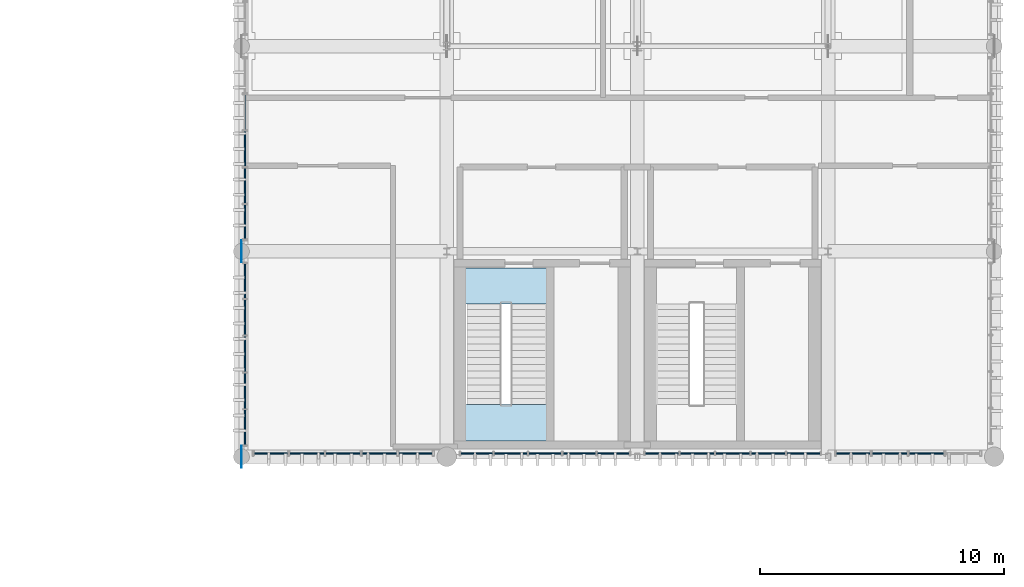
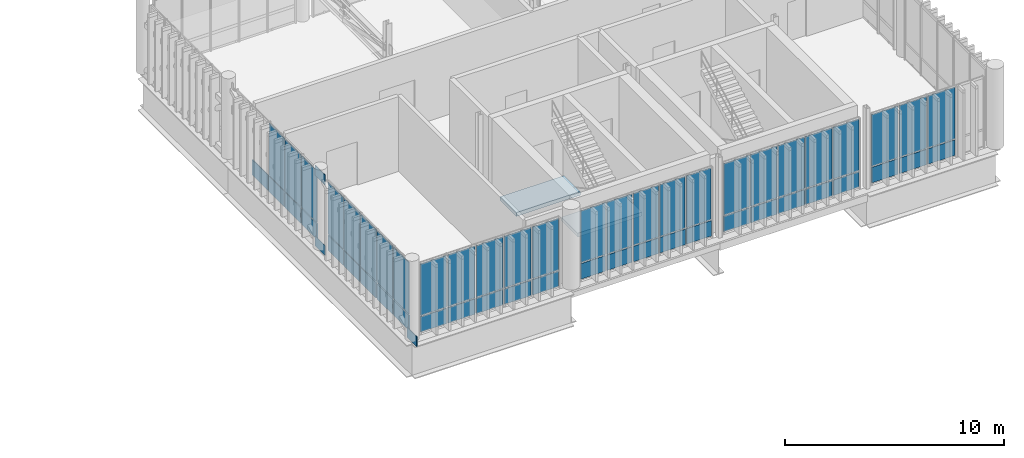
# One storey, part 43 of 53: 56 plates, 2 slabs, 7 elements without a shape of their own.
"""IFC4 building model written with IfcOpenShell, lengths in metres."""

from ifc_helpers import new_model, si_unit, direction, frame, frame_2d, origin_with_axes, origin_2d_with_axis, place, context, subcontext, project, spatial, polyline, rectangle, outline, extrude, material, layer, layer_set, type_object, element, aggregate, save


model = new_model("IFC4")

# Units and contexts
model_context = context("Model", 3, precision=1e-05, world=origin_with_axes(), true_north=direction((0.0, 1.0)))
body_context = subcontext(model_context, "Body", "Model", "MODEL_VIEW")
ifc_project = project(units=[si_unit("LENGTHUNIT", "METRE"), si_unit("AREAUNIT", "SQUARE_METRE"), si_unit("VOLUMEUNIT", "CUBIC_METRE"), si_unit("PLANEANGLEUNIT", "RADIAN"), si_unit("MASSUNIT", "GRAM", prefix="KILO"), si_unit("THERMODYNAMICTEMPERATUREUNIT", "KELVIN")], contexts=[model_context])

# Site, building, storey
site_placement = place(None, origin_with_axes())
site = spatial("IfcSite", under=ifc_project, at=site_placement, CompositionType="ELEMENT")
building_placement = place(site_placement, origin_with_axes())
building = spatial("IfcBuilding", under=site, at=building_placement, Name="Montbau Bow Law Courts", CompositionType="ELEMENT")
storey_placement = place(building_placement, frame((0.0, 0.0, 39.0), z_axis=(0.0, 0.0, 1.0), x_axis=(1.0, 0.0, 0.0)))
storey = spatial("IfcBuildingStorey", under=building, at=storey_placement, Name="L08", CompositionType="ELEMENT", Elevation=39.0)

# Curtain wall, plates
ifc_material_1 = material(Name="Thermally Broken Extruded Aluminium AA 6063-T6", Category="aluminium")
curtain_wall_type = type_object("IfcCurtainWallType", Name="CW-CRM-03", PredefinedType="NOTDEFINED", material=ifc_material_1)
curtain_wall_1_placement = place(None, frame((139.04, 86.54, 39.0), z_axis=(0.0, 0.0, 1.0), x_axis=(1.0, 0.0, 0.0)))
curtain_wall_1 = element("IfcCurtainWall", 1, at=curtain_wall_1_placement, inside=storey, type_object=curtain_wall_type, Name="CW-L08-372:cw_0372", PredefinedType="NOTDEFINED")
ifc_material_2 = material(Name="Triple-Glazed Low-E Argon Insulating Glass Unit", Category="glass")
ifc_layer_1 = layer(ifc_material_2, 0.044, Name="Curtain Panel", Category="glass")
ifc_layer_set_1 = layer_set([ifc_layer_1], Name="Triple-Glazed Low-E Argon Insulating Glass Unit")
plate_type_1 = type_object("IfcPlateType", Name="PL-CWP-01", PredefinedType="CURTAIN_PANEL", material=ifc_layer_set_1)
plate_1_placement = place(None, frame((139.116, 86.54, 39.982), z_axis=(0.0, -1.0, 0.0), x_axis=(1.0, 0.0, 0.0)))
plate_1 = element("IfcPlate", 2, at=plate_1_placement, type_object=plate_type_1, Name="CW-L08-372-P01-2:cw_0372_P01_2", PredefinedType="CURTAIN_PANEL", context=body_context, shape_type="SweptSolid", body=[
    extrude(rectangle(XDim=1.374, YDim=2.876, at=frame_2d((0.687, 1.438), x_axis=(1.0, 0.0))), frame((0.0, 0.0, -0.022), z_axis=(0.0, 0.0, 1.0), x_axis=(1.0, 0.0, 0.0)), (0.0, 0.0, 1.0), 0.044),
])
plate_2_placement = place(None, frame((140.569, 86.54, 39.982), z_axis=(0.0, -1.0, 0.0), x_axis=(1.0, 0.0, 0.0)))
plate_2 = element("IfcPlate", 3, at=plate_2_placement, type_object=plate_type_1, Name="CW-L08-372-P02-2:cw_0372_P02_2", PredefinedType="CURTAIN_PANEL", context=body_context, shape_type="SweptSolid", body=[
    extrude(rectangle(XDim=1.41, YDim=2.876, at=frame_2d((0.705, 1.438), x_axis=(1.0, 0.0))), frame((0.0, 0.0, -0.022), z_axis=(0.0, 0.0, 1.0), x_axis=(1.0, 0.0, 0.0)), (0.0, 0.0, 1.0), 0.044),
])
plate_3_placement = place(None, frame((142.058, 86.54, 39.982), z_axis=(0.0, -1.0, 0.0), x_axis=(1.0, 0.0, 0.0)))
plate_3 = element("IfcPlate", 4, at=plate_3_placement, type_object=plate_type_1, Name="CW-L08-372-P03-2:cw_0372_P03_2", PredefinedType="CURTAIN_PANEL", context=body_context, shape_type="SweptSolid", body=[
    extrude(rectangle(XDim=1.41, YDim=2.876, at=frame_2d((0.705, 1.438), x_axis=(1.0, 0.0))), frame((0.0, 0.0, -0.022), z_axis=(0.0, 0.0, 1.0), x_axis=(1.0, 0.0, 0.0)), (0.0, 0.0, 1.0), 0.044),
])
plate_4_placement = place(None, frame((143.546, 86.54, 39.982), z_axis=(0.0, -1.0, 0.0), x_axis=(1.0, 0.0, 0.0)))
plate_4 = element("IfcPlate", 5, at=plate_4_placement, type_object=plate_type_1, Name="CW-L08-372-P04-2:cw_0372_P04_2", PredefinedType="CURTAIN_PANEL", context=body_context, shape_type="SweptSolid", body=[
    extrude(rectangle(XDim=1.411, YDim=2.876, at=frame_2d((0.7055, 1.438), x_axis=(1.0, 0.0))), frame((0.0, 0.0, -0.022), z_axis=(0.0, 0.0, 1.0), x_axis=(1.0, 0.0, 0.0)), (0.0, 0.0, 1.0), 0.044),
])
plate_5_placement = place(None, frame((145.035, 86.54, 39.982), z_axis=(0.0, -1.0, 0.0), x_axis=(1.0, 0.0, 0.0)))
plate_5 = element("IfcPlate", 6, at=plate_5_placement, type_object=plate_type_1, Name="CW-L08-372-P05-2:cw_0372_P05_2", PredefinedType="CURTAIN_PANEL", context=body_context, shape_type="SweptSolid", body=[
    extrude(rectangle(XDim=1.374, YDim=2.876, at=frame_2d((0.687, 1.438), x_axis=(1.0, 0.0))), frame((0.0, 0.0, -0.022), z_axis=(0.0, 0.0, 1.0), x_axis=(1.0, 0.0, 0.0)), (0.0, 0.0, 1.0), 0.044),
])

curtain_wall_2_placement = place(None, frame((147.515, 86.54, 39.0), z_axis=(0.0, 0.0, 1.0), x_axis=(1.0, 0.0, 0.0)))
curtain_wall_2 = element("IfcCurtainWall", 7, at=curtain_wall_2_placement, inside=storey, type_object=curtain_wall_type, Name="CW-L08-373:cw_0373", PredefinedType="NOTDEFINED")
plate_6_placement = place(None, frame((147.583, 86.54, 39.98), z_axis=(0.0, -1.0, 0.0), x_axis=(1.0, 0.0, 0.0)))
plate_6 = element("IfcPlate", 8, at=plate_6_placement, type_object=plate_type_1, Name="CW-L08-373-P01-2:cw_0373_P01_2", PredefinedType="CURTAIN_PANEL", context=body_context, shape_type="SweptSolid", body=[
    extrude(rectangle(XDim=1.301, YDim=2.882, at=frame_2d((0.6505, 1.441), x_axis=(1.0, 0.0))), frame((0.0, 0.0, -0.022), z_axis=(0.0, 0.0, 1.0), x_axis=(1.0, 0.0, 0.0)), (0.0, 0.0, 1.0), 0.044),
])
plate_7_placement = place(None, frame((148.953, 86.54, 39.98), z_axis=(0.0, -1.0, 0.0), x_axis=(1.0, 0.0, 0.0)))
plate_7 = element("IfcPlate", 9, at=plate_7_placement, type_object=plate_type_1, Name="CW-L08-373-P02-2:cw_0373_P02_2", PredefinedType="CURTAIN_PANEL", context=body_context, shape_type="SweptSolid", body=[
    extrude(rectangle(XDim=1.334, YDim=2.882, at=frame_2d((0.667, 1.441), x_axis=(1.0, 0.0))), frame((0.0, 0.0, -0.022), z_axis=(0.0, 0.0, 1.0), x_axis=(1.0, 0.0, 0.0)), (0.0, 0.0, 1.0), 0.044),
])
plate_8_placement = place(None, frame((150.356, 86.54, 39.98), z_axis=(0.0, -1.0, 0.0), x_axis=(1.0, 0.0, 0.0)))
plate_8 = element("IfcPlate", 10, at=plate_8_placement, type_object=plate_type_1, Name="CW-L08-373-P03-2:cw_0373_P03_2", PredefinedType="CURTAIN_PANEL", context=body_context, shape_type="SweptSolid", body=[
    extrude(rectangle(XDim=1.335, YDim=2.882, at=frame_2d((0.6675, 1.441), x_axis=(1.0, 0.0))), frame((0.0, 0.0, -0.022), z_axis=(0.0, 0.0, 1.0), x_axis=(1.0, 0.0, 0.0)), (0.0, 0.0, 1.0), 0.044),
])
plate_9_placement = place(None, frame((151.759, 86.54, 39.98), z_axis=(0.0, -1.0, 0.0), x_axis=(1.0, 0.0, 0.0)))
plate_9 = element("IfcPlate", 11, at=plate_9_placement, type_object=plate_type_1, Name="CW-L08-373-P04-2:cw_0373_P04_2", PredefinedType="CURTAIN_PANEL", context=body_context, shape_type="SweptSolid", body=[
    extrude(rectangle(XDim=1.336, YDim=2.882, at=frame_2d((0.668, 1.441), x_axis=(1.0, 0.0))), frame((0.0, 0.0, -0.022), z_axis=(0.0, 0.0, 1.0), x_axis=(1.0, 0.0, 0.0)), (0.0, 0.0, 1.0), 0.044),
])
plate_10_placement = place(None, frame((153.163, 86.54, 39.98), z_axis=(0.0, -1.0, 0.0), x_axis=(1.0, 0.0, 0.0)))
plate_10 = element("IfcPlate", 12, at=plate_10_placement, type_object=plate_type_1, Name="CW-L08-373-P05-2:cw_0373_P05_2", PredefinedType="CURTAIN_PANEL", context=body_context, shape_type="SweptSolid", body=[
    extrude(rectangle(XDim=1.303, YDim=2.882, at=frame_2d((0.6515, 1.441), x_axis=(1.0, 0.0))), frame((0.0, 0.0, -0.022), z_axis=(0.0, 0.0, 1.0), x_axis=(1.0, 0.0, 0.0)), (0.0, 0.0, 1.0), 0.044),
])

curtain_wall_3_placement = place(None, frame((155.068, 86.54, 39.0), z_axis=(0.0, 0.0, 1.0), x_axis=(1.0, 0.0, 0.0)))
curtain_wall_3 = element("IfcCurtainWall", 13, at=curtain_wall_3_placement, inside=storey, type_object=curtain_wall_type, Name="CW-L08-374:cw_0374", PredefinedType="NOTDEFINED")
plate_11_placement = place(None, frame((155.13, 86.54, 39.982), z_axis=(0.0, -1.0, 0.0), x_axis=(1.0, 0.0, 0.0)))
plate_11 = element("IfcPlate", 14, at=plate_11_placement, type_object=plate_type_1, Name="CW-L08-374-P01-2:cw_0374_P01_2", PredefinedType="CURTAIN_PANEL", context=body_context, shape_type="SweptSolid", body=[
    extrude(rectangle(XDim=1.359, YDim=2.876, at=frame_2d((0.6795, 1.438), x_axis=(1.0, 0.0))), frame((0.0, 0.0, -0.022), z_axis=(0.0, 0.0, 1.0), x_axis=(1.0, 0.0, 0.0)), (0.0, 0.0, 1.0), 0.044),
])
plate_12_placement = place(None, frame((156.553, 86.54, 39.982), z_axis=(0.0, -1.0, 0.0), x_axis=(1.0, 0.0, 0.0)))
plate_12 = element("IfcPlate", 15, at=plate_12_placement, type_object=plate_type_1, Name="CW-L08-374-P02-2:cw_0374_P02_2", PredefinedType="CURTAIN_PANEL", context=body_context, shape_type="SweptSolid", body=[
    extrude(rectangle(XDim=1.389, YDim=2.876, at=frame_2d((0.6945, 1.438), x_axis=(1.0, 0.0))), frame((0.0, 0.0, -0.022), z_axis=(0.0, 0.0, 1.0), x_axis=(1.0, 0.0, 0.0)), (0.0, 0.0, 1.0), 0.044),
])
plate_13_placement = place(None, frame((158.006, 86.54, 39.982), z_axis=(0.0, -1.0, 0.0), x_axis=(1.0, 0.0, 0.0)))
plate_13 = element("IfcPlate", 16, at=plate_13_placement, type_object=plate_type_1, Name="CW-L08-374-P03-2:cw_0374_P03_2", PredefinedType="CURTAIN_PANEL", context=body_context, shape_type="SweptSolid", body=[
    extrude(rectangle(XDim=1.388, YDim=2.876, at=frame_2d((0.694, 1.438), x_axis=(1.0, 0.0))), frame((0.0, 0.0, -0.022), z_axis=(0.0, 0.0, 1.0), x_axis=(1.0, 0.0, 0.0)), (0.0, 0.0, 1.0), 0.044),
])
plate_14_placement = place(None, frame((159.458, 86.54, 39.982), z_axis=(0.0, -1.0, 0.0), x_axis=(1.0, 0.0, 0.0)))
plate_14 = element("IfcPlate", 17, at=plate_14_placement, type_object=plate_type_1, Name="CW-L08-374-P04-2:cw_0374_P04_2", PredefinedType="CURTAIN_PANEL", context=body_context, shape_type="SweptSolid", body=[
    extrude(rectangle(XDim=1.389, YDim=2.876, at=frame_2d((0.6945, 1.438), x_axis=(1.0, 0.0))), frame((0.0, 0.0, -0.022), z_axis=(0.0, 0.0, 1.0), x_axis=(1.0, 0.0, 0.0)), (0.0, 0.0, 1.0), 0.044),
])
plate_15_placement = place(None, frame((160.911, 86.54, 39.982), z_axis=(0.0, -1.0, 0.0), x_axis=(1.0, 0.0, 0.0)))
plate_15 = element("IfcPlate", 18, at=plate_15_placement, type_object=plate_type_1, Name="CW-L08-374-P05-2:cw_0374_P05_2", PredefinedType="CURTAIN_PANEL", context=body_context, shape_type="SweptSolid", body=[
    extrude(rectangle(XDim=1.359, YDim=2.876, at=frame_2d((0.6795, 1.438), x_axis=(1.0, 0.0))), frame((0.0, 0.0, -0.022), z_axis=(0.0, 0.0, 1.0), x_axis=(1.0, 0.0, 0.0)), (0.0, 0.0, 1.0), 0.044),
])

curtain_wall_4_placement = place(None, frame((162.868, 86.54, 39.0), z_axis=(0.0, 0.0, 1.0), x_axis=(1.0, 0.0, 0.0)))
curtain_wall_4 = element("IfcCurtainWall", 19, at=curtain_wall_4_placement, inside=storey, type_object=curtain_wall_type, Name="CW-L08-375:cw_0375", PredefinedType="NOTDEFINED")
plate_16_placement = place(None, frame((162.944, 86.54, 39.98), z_axis=(0.0, -1.0, 0.0), x_axis=(1.0, 0.0, 0.0)))
plate_16 = element("IfcPlate", 20, at=plate_16_placement, type_object=plate_type_1, Name="CW-L08-375-P01-2:cw_0375_P01_2", PredefinedType="CURTAIN_PANEL", context=body_context, shape_type="SweptSolid", body=[
    extrude(rectangle(XDim=1.388, YDim=2.882, at=frame_2d((0.694, 1.441), x_axis=(1.0, 0.0))), frame((0.0, 0.0, -0.022), z_axis=(0.0, 0.0, 1.0), x_axis=(1.0, 0.0, 0.0)), (0.0, 0.0, 1.0), 0.044),
])
plate_17_placement = place(None, frame((164.412, 86.54, 39.98), z_axis=(0.0, -1.0, 0.0), x_axis=(1.0, 0.0, 0.0)))
plate_17 = element("IfcPlate", 21, at=plate_17_placement, type_object=plate_type_1, Name="CW-L08-375-P02-2:cw_0375_P02_2", PredefinedType="CURTAIN_PANEL", context=body_context, shape_type="SweptSolid", body=[
    extrude(rectangle(XDim=1.425, YDim=2.882, at=frame_2d((0.7125, 1.441), x_axis=(1.0, 0.0))), frame((0.0, 0.0, -0.022), z_axis=(0.0, 0.0, 1.0), x_axis=(1.0, 0.0, 0.0)), (0.0, 0.0, 1.0), 0.044),
])
plate_18_placement = place(None, frame((165.915, 86.54, 39.98), z_axis=(0.0, -1.0, 0.0), x_axis=(1.0, 0.0, 0.0)))
plate_18 = element("IfcPlate", 22, at=plate_18_placement, type_object=plate_type_1, Name="CW-L08-375-P03-2:cw_0375_P03_2", PredefinedType="CURTAIN_PANEL", context=body_context, shape_type="SweptSolid", body=[
    extrude(rectangle(XDim=1.427, YDim=2.882, at=frame_2d((0.7135, 1.441), x_axis=(1.0, 0.0))), frame((0.0, 0.0, -0.022), z_axis=(0.0, 0.0, 1.0), x_axis=(1.0, 0.0, 0.0)), (0.0, 0.0, 1.0), 0.044),
])

curtain_wall_5_placement = place(None, frame((138.74, 86.84, 39.0), z_axis=(0.0, 0.0, 1.0), x_axis=(1.0, 0.0, 0.0)))
curtain_wall_5 = element("IfcCurtainWall", 23, at=curtain_wall_5_placement, inside=storey, type_object=curtain_wall_type, Name="CW-L08-380:cw_0380", PredefinedType="NOTDEFINED")
plate_19_placement = place(None, frame((138.74, 86.902, 39.982), z_axis=(1.0, 0.0, 0.0), x_axis=(0.0, 1.0, 0.0)))
plate_19 = element("IfcPlate", 24, at=plate_19_placement, type_object=plate_type_1, Name="CW-L08-380-P01-2:cw_0380_P01_2", PredefinedType="CURTAIN_PANEL", context=body_context, shape_type="SweptSolid", body=[
    extrude(rectangle(XDim=1.41, YDim=2.876, at=frame_2d((0.705, 1.438), x_axis=(1.0, 0.0))), frame((0.0, 0.0, -0.022), z_axis=(0.0, 0.0, 1.0), x_axis=(1.0, 0.0, 0.0)), (0.0, 0.0, 1.0), 0.044),
])
plate_20_placement = place(None, frame((138.74, 88.376, 39.982), z_axis=(1.0, 0.0, 0.0), x_axis=(0.0, 1.0, 0.0)))
plate_20 = element("IfcPlate", 25, at=plate_20_placement, type_object=plate_type_1, Name="CW-L08-380-P02-2:cw_0380_P02_2", PredefinedType="CURTAIN_PANEL", context=body_context, shape_type="SweptSolid", body=[
    extrude(rectangle(XDim=1.44, YDim=2.876, at=frame_2d((0.72, 1.438), x_axis=(1.0, 0.0))), frame((0.0, 0.0, -0.022), z_axis=(0.0, 0.0, 1.0), x_axis=(1.0, 0.0, 0.0)), (0.0, 0.0, 1.0), 0.044),
])
plate_21_placement = place(None, frame((138.74, 89.88, 39.982), z_axis=(1.0, 0.0, 0.0), x_axis=(0.0, 1.0, 0.0)))
plate_21 = element("IfcPlate", 26, at=plate_21_placement, type_object=plate_type_1, Name="CW-L08-380-P03-2:cw_0380_P03_2", PredefinedType="CURTAIN_PANEL", context=body_context, shape_type="SweptSolid", body=[
    extrude(rectangle(XDim=1.44, YDim=2.876, at=frame_2d((0.72, 1.438), x_axis=(1.0, 0.0))), frame((0.0, 0.0, -0.022), z_axis=(0.0, 0.0, 1.0), x_axis=(1.0, 0.0, 0.0)), (0.0, 0.0, 1.0), 0.044),
])
plate_22_placement = place(None, frame((138.74, 91.384, 39.982), z_axis=(1.0, 0.0, 0.0), x_axis=(0.0, 1.0, 0.0)))
plate_22 = element("IfcPlate", 27, at=plate_22_placement, type_object=plate_type_1, Name="CW-L08-380-P04-2:cw_0380_P04_2", PredefinedType="CURTAIN_PANEL", context=body_context, shape_type="SweptSolid", body=[
    extrude(rectangle(XDim=1.44, YDim=2.876, at=frame_2d((0.72, 1.438), x_axis=(1.0, 0.0))), frame((0.0, 0.0, -0.022), z_axis=(0.0, 0.0, 1.0), x_axis=(1.0, 0.0, 0.0)), (0.0, 0.0, 1.0), 0.044),
])
plate_23_placement = place(None, frame((138.74, 92.888, 39.982), z_axis=(1.0, 0.0, 0.0), x_axis=(0.0, 1.0, 0.0)))
plate_23 = element("IfcPlate", 28, at=plate_23_placement, type_object=plate_type_1, Name="CW-L08-380-P05-2:cw_0380_P05_2", PredefinedType="CURTAIN_PANEL", context=body_context, shape_type="SweptSolid", body=[
    extrude(rectangle(XDim=1.41, YDim=2.876, at=frame_2d((0.705, 1.438), x_axis=(1.0, 0.0))), frame((0.0, 0.0, -0.022), z_axis=(0.0, 0.0, 1.0), x_axis=(1.0, 0.0, 0.0)), (0.0, 0.0, 1.0), 0.044),
])

curtain_wall_6_placement = place(None, frame((138.74, 95.24, 39.0), z_axis=(0.0, 0.0, 1.0), x_axis=(1.0, 0.0, 0.0)))
curtain_wall_6 = element("IfcCurtainWall", 29, at=curtain_wall_6_placement, inside=storey, type_object=curtain_wall_type, Name="CW-L08-381:cw_0381", PredefinedType="NOTDEFINED")
plate_24_placement = place(None, frame((138.74, 95.316, 39.98), z_axis=(1.0, 0.0, 0.0), x_axis=(0.0, 1.0, 0.0)))
plate_24 = element("IfcPlate", 30, at=plate_24_placement, type_object=plate_type_1, Name="CW-L08-381-P01-2:cw_0381_P01_2", PredefinedType="CURTAIN_PANEL", context=body_context, shape_type="SweptSolid", body=[
    extrude(rectangle(XDim=1.388, YDim=2.882, at=frame_2d((0.694, 1.441), x_axis=(1.0, 0.0))), frame((0.0, 0.0, -0.022), z_axis=(0.0, 0.0, 1.0), x_axis=(1.0, 0.0, 0.0)), (0.0, 0.0, 1.0), 0.044),
])
plate_25_placement = place(None, frame((138.74, 96.784, 39.98), z_axis=(1.0, 0.0, 0.0), x_axis=(0.0, 1.0, 0.0)))
plate_25 = element("IfcPlate", 31, at=plate_25_placement, type_object=plate_type_1, Name="CW-L08-381-P02-2:cw_0381_P02_2", PredefinedType="CURTAIN_PANEL", context=body_context, shape_type="SweptSolid", body=[
    extrude(rectangle(XDim=1.425, YDim=2.882, at=frame_2d((0.7125, 1.441), x_axis=(1.0, 0.0))), frame((0.0, 0.0, -0.022), z_axis=(0.0, 0.0, 1.0), x_axis=(1.0, 0.0, 0.0)), (0.0, 0.0, 1.0), 0.044),
])
plate_26_placement = place(None, frame((138.74, 98.287, 39.98), z_axis=(1.0, 0.0, 0.0), x_axis=(0.0, 1.0, 0.0)))
plate_26 = element("IfcPlate", 32, at=plate_26_placement, type_object=plate_type_1, Name="CW-L08-381-P03-2:cw_0381_P03_2", PredefinedType="CURTAIN_PANEL", context=body_context, shape_type="SweptSolid", body=[
    extrude(rectangle(XDim=1.426, YDim=2.882, at=frame_2d((0.713, 1.441), x_axis=(1.0, 0.0))), frame((0.0, 0.0, -0.022), z_axis=(0.0, 0.0, 1.0), x_axis=(1.0, 0.0, 0.0)), (0.0, 0.0, 1.0), 0.044),
])

# Plate
ifc_material_3 = material(Name="Insulated Ceramic-Frit Spandrel Glazing Unit", Category="glass")
ifc_layer_2 = layer(ifc_material_3, 0.056, Name="Curtain Panel", Category="glass")
ifc_layer_set_2 = layer_set([ifc_layer_2], Name="Insulated Ceramic-Frit Spandrel Glazing Unit")
plate_type_2 = type_object("IfcPlateType", Name="PL-CWP-02", PredefinedType="CURTAIN_PANEL", material=ifc_layer_set_2)
plate_27_placement = place(None, frame((139.116, 86.54, 39.062), z_axis=(0.0, -1.0, 0.0), x_axis=(1.0, 0.0, 0.0)))
plate_27 = element("IfcPlate", 33, at=plate_27_placement, type_object=plate_type_2, Name="CW-L08-372-P01-1:cw_0372_P01_1", PredefinedType="CURTAIN_PANEL", context=body_context, shape_type="SweptSolid", body=[
    extrude(rectangle(XDim=1.374, YDim=0.856, at=frame_2d((0.687, 0.428), x_axis=(1.0, 0.0))), frame((0.0, 0.0, -0.028), z_axis=(0.0, 0.0, 1.0), x_axis=(1.0, 0.0, 0.0)), (0.0, 0.0, 1.0), 0.056),
])

plate_28_placement = place(None, frame((140.569, 86.54, 39.062), z_axis=(0.0, -1.0, 0.0), x_axis=(1.0, 0.0, 0.0)))
plate_28 = element("IfcPlate", 34, at=plate_28_placement, type_object=plate_type_2, Name="CW-L08-372-P02-1:cw_0372_P02_1", PredefinedType="CURTAIN_PANEL", context=body_context, shape_type="SweptSolid", body=[
    extrude(rectangle(XDim=1.41, YDim=0.856, at=frame_2d((0.705, 0.428), x_axis=(1.0, 0.0))), frame((0.0, 0.0, -0.028), z_axis=(0.0, 0.0, 1.0), x_axis=(1.0, 0.0, 0.0)), (0.0, 0.0, 1.0), 0.056),
])

plate_29_placement = place(None, frame((142.058, 86.54, 39.062), z_axis=(0.0, -1.0, 0.0), x_axis=(1.0, 0.0, 0.0)))
plate_29 = element("IfcPlate", 35, at=plate_29_placement, type_object=plate_type_2, Name="CW-L08-372-P03-1:cw_0372_P03_1", PredefinedType="CURTAIN_PANEL", context=body_context, shape_type="SweptSolid", body=[
    extrude(rectangle(XDim=1.41, YDim=0.856, at=frame_2d((0.705, 0.428), x_axis=(1.0, 0.0))), frame((0.0, 0.0, -0.028), z_axis=(0.0, 0.0, 1.0), x_axis=(1.0, 0.0, 0.0)), (0.0, 0.0, 1.0), 0.056),
])

plate_30_placement = place(None, frame((143.546, 86.54, 39.062), z_axis=(0.0, -1.0, 0.0), x_axis=(1.0, 0.0, 0.0)))
plate_30 = element("IfcPlate", 36, at=plate_30_placement, type_object=plate_type_2, Name="CW-L08-372-P04-1:cw_0372_P04_1", PredefinedType="CURTAIN_PANEL", context=body_context, shape_type="SweptSolid", body=[
    extrude(rectangle(XDim=1.411, YDim=0.856, at=frame_2d((0.7055, 0.428), x_axis=(1.0, 0.0))), frame((0.0, 0.0, -0.028), z_axis=(0.0, 0.0, 1.0), x_axis=(1.0, 0.0, 0.0)), (0.0, 0.0, 1.0), 0.056),
])

plate_31_placement = place(None, frame((145.035, 86.54, 39.062), z_axis=(0.0, -1.0, 0.0), x_axis=(1.0, 0.0, 0.0)))
plate_31 = element("IfcPlate", 37, at=plate_31_placement, type_object=plate_type_2, Name="CW-L08-372-P05-1:cw_0372_P05_1", PredefinedType="CURTAIN_PANEL", context=body_context, shape_type="SweptSolid", body=[
    extrude(rectangle(XDim=1.374, YDim=0.856, at=frame_2d((0.687, 0.428), x_axis=(1.0, 0.0))), frame((0.0, 0.0, -0.028), z_axis=(0.0, 0.0, 1.0), x_axis=(1.0, 0.0, 0.0)), (0.0, 0.0, 1.0), 0.056),
])

aggregate(curtain_wall_1, [plate_27, plate_1, plate_28, plate_2, plate_29, plate_3, plate_30, plate_4, plate_31, plate_5])

plate_32_placement = place(None, frame((147.583, 86.54, 39.058), z_axis=(0.0, -1.0, 0.0), x_axis=(1.0, 0.0, 0.0)))
plate_32 = element("IfcPlate", 38, at=plate_32_placement, type_object=plate_type_2, Name="CW-L08-373-P01-1:cw_0373_P01_1", PredefinedType="CURTAIN_PANEL", context=body_context, shape_type="SweptSolid", body=[
    extrude(rectangle(XDim=1.301, YDim=0.862, at=frame_2d((0.6505, 0.431), x_axis=(1.0, 0.0))), frame((0.0, 0.0, -0.028), z_axis=(0.0, 0.0, 1.0), x_axis=(1.0, 0.0, 0.0)), (0.0, 0.0, 1.0), 0.056),
])

plate_33_placement = place(None, frame((148.953, 86.54, 39.058), z_axis=(0.0, -1.0, 0.0), x_axis=(1.0, 0.0, 0.0)))
plate_33 = element("IfcPlate", 39, at=plate_33_placement, type_object=plate_type_2, Name="CW-L08-373-P02-1:cw_0373_P02_1", PredefinedType="CURTAIN_PANEL", context=body_context, shape_type="SweptSolid", body=[
    extrude(rectangle(XDim=1.334, YDim=0.862, at=frame_2d((0.667, 0.431), x_axis=(1.0, 0.0))), frame((0.0, 0.0, -0.028), z_axis=(0.0, 0.0, 1.0), x_axis=(1.0, 0.0, 0.0)), (0.0, 0.0, 1.0), 0.056),
])

plate_34_placement = place(None, frame((150.356, 86.54, 39.058), z_axis=(0.0, -1.0, 0.0), x_axis=(1.0, 0.0, 0.0)))
plate_34 = element("IfcPlate", 40, at=plate_34_placement, type_object=plate_type_2, Name="CW-L08-373-P03-1:cw_0373_P03_1", PredefinedType="CURTAIN_PANEL", context=body_context, shape_type="SweptSolid", body=[
    extrude(rectangle(XDim=1.335, YDim=0.862, at=frame_2d((0.6675, 0.431), x_axis=(1.0, 0.0))), frame((0.0, 0.0, -0.028), z_axis=(0.0, 0.0, 1.0), x_axis=(1.0, 0.0, 0.0)), (0.0, 0.0, 1.0), 0.056),
])

plate_35_placement = place(None, frame((151.759, 86.54, 39.058), z_axis=(0.0, -1.0, 0.0), x_axis=(1.0, 0.0, 0.0)))
plate_35 = element("IfcPlate", 41, at=plate_35_placement, type_object=plate_type_2, Name="CW-L08-373-P04-1:cw_0373_P04_1", PredefinedType="CURTAIN_PANEL", context=body_context, shape_type="SweptSolid", body=[
    extrude(rectangle(XDim=1.336, YDim=0.862, at=frame_2d((0.668, 0.431), x_axis=(1.0, 0.0))), frame((0.0, 0.0, -0.028), z_axis=(0.0, 0.0, 1.0), x_axis=(1.0, 0.0, 0.0)), (0.0, 0.0, 1.0), 0.056),
])

plate_36_placement = place(None, frame((153.163, 86.54, 39.058), z_axis=(0.0, -1.0, 0.0), x_axis=(1.0, 0.0, 0.0)))
plate_36 = element("IfcPlate", 42, at=plate_36_placement, type_object=plate_type_2, Name="CW-L08-373-P05-1:cw_0373_P05_1", PredefinedType="CURTAIN_PANEL", context=body_context, shape_type="SweptSolid", body=[
    extrude(rectangle(XDim=1.303, YDim=0.862, at=frame_2d((0.6515, 0.431), x_axis=(1.0, 0.0))), frame((0.0, 0.0, -0.028), z_axis=(0.0, 0.0, 1.0), x_axis=(1.0, 0.0, 0.0)), (0.0, 0.0, 1.0), 0.056),
])

aggregate(curtain_wall_2, [plate_32, plate_6, plate_33, plate_7, plate_34, plate_8, plate_35, plate_9, plate_36, plate_10])

plate_37_placement = place(None, frame((155.13, 86.54, 39.062), z_axis=(0.0, -1.0, 0.0), x_axis=(1.0, 0.0, 0.0)))
plate_37 = element("IfcPlate", 43, at=plate_37_placement, type_object=plate_type_2, Name="CW-L08-374-P01-1:cw_0374_P01_1", PredefinedType="CURTAIN_PANEL", context=body_context, shape_type="SweptSolid", body=[
    extrude(rectangle(XDim=1.359, YDim=0.856, at=frame_2d((0.6795, 0.428), x_axis=(1.0, 0.0))), frame((0.0, 0.0, -0.028), z_axis=(0.0, 0.0, 1.0), x_axis=(1.0, 0.0, 0.0)), (0.0, 0.0, 1.0), 0.056),
])

plate_38_placement = place(None, frame((156.553, 86.54, 39.062), z_axis=(0.0, -1.0, 0.0), x_axis=(1.0, 0.0, 0.0)))
plate_38 = element("IfcPlate", 44, at=plate_38_placement, type_object=plate_type_2, Name="CW-L08-374-P02-1:cw_0374_P02_1", PredefinedType="CURTAIN_PANEL", context=body_context, shape_type="SweptSolid", body=[
    extrude(rectangle(XDim=1.389, YDim=0.856, at=frame_2d((0.6945, 0.428), x_axis=(1.0, 0.0))), frame((0.0, 0.0, -0.028), z_axis=(0.0, 0.0, 1.0), x_axis=(1.0, 0.0, 0.0)), (0.0, 0.0, 1.0), 0.056),
])

plate_39_placement = place(None, frame((158.006, 86.54, 39.062), z_axis=(0.0, -1.0, 0.0), x_axis=(1.0, 0.0, 0.0)))
plate_39 = element("IfcPlate", 45, at=plate_39_placement, type_object=plate_type_2, Name="CW-L08-374-P03-1:cw_0374_P03_1", PredefinedType="CURTAIN_PANEL", context=body_context, shape_type="SweptSolid", body=[
    extrude(rectangle(XDim=1.388, YDim=0.856, at=frame_2d((0.694, 0.428), x_axis=(1.0, 0.0))), frame((0.0, 0.0, -0.028), z_axis=(0.0, 0.0, 1.0), x_axis=(1.0, 0.0, 0.0)), (0.0, 0.0, 1.0), 0.056),
])

plate_40_placement = place(None, frame((159.458, 86.54, 39.062), z_axis=(0.0, -1.0, 0.0), x_axis=(1.0, 0.0, 0.0)))
plate_40 = element("IfcPlate", 46, at=plate_40_placement, type_object=plate_type_2, Name="CW-L08-374-P04-1:cw_0374_P04_1", PredefinedType="CURTAIN_PANEL", context=body_context, shape_type="SweptSolid", body=[
    extrude(rectangle(XDim=1.389, YDim=0.856, at=frame_2d((0.6945, 0.428), x_axis=(1.0, 0.0))), frame((0.0, 0.0, -0.028), z_axis=(0.0, 0.0, 1.0), x_axis=(1.0, 0.0, 0.0)), (0.0, 0.0, 1.0), 0.056),
])

plate_41_placement = place(None, frame((160.911, 86.54, 39.062), z_axis=(0.0, -1.0, 0.0), x_axis=(1.0, 0.0, 0.0)))
plate_41 = element("IfcPlate", 47, at=plate_41_placement, type_object=plate_type_2, Name="CW-L08-374-P05-1:cw_0374_P05_1", PredefinedType="CURTAIN_PANEL", context=body_context, shape_type="SweptSolid", body=[
    extrude(rectangle(XDim=1.359, YDim=0.856, at=frame_2d((0.6795, 0.428), x_axis=(1.0, 0.0))), frame((0.0, 0.0, -0.028), z_axis=(0.0, 0.0, 1.0), x_axis=(1.0, 0.0, 0.0)), (0.0, 0.0, 1.0), 0.056),
])

aggregate(curtain_wall_3, [plate_37, plate_11, plate_38, plate_12, plate_39, plate_13, plate_40, plate_14, plate_41, plate_15])

plate_42_placement = place(None, frame((162.944, 86.54, 39.058), z_axis=(0.0, -1.0, 0.0), x_axis=(1.0, 0.0, 0.0)))
plate_42 = element("IfcPlate", 48, at=plate_42_placement, type_object=plate_type_2, Name="CW-L08-375-P01-1:cw_0375_P01_1", PredefinedType="CURTAIN_PANEL", context=body_context, shape_type="SweptSolid", body=[
    extrude(rectangle(XDim=1.388, YDim=0.862, at=frame_2d((0.694, 0.431), x_axis=(1.0, 0.0))), frame((0.0, 0.0, -0.028), z_axis=(0.0, 0.0, 1.0), x_axis=(1.0, 0.0, 0.0)), (0.0, 0.0, 1.0), 0.056),
])

plate_43_placement = place(None, frame((164.412, 86.54, 39.058), z_axis=(0.0, -1.0, 0.0), x_axis=(1.0, 0.0, 0.0)))
plate_43 = element("IfcPlate", 49, at=plate_43_placement, type_object=plate_type_2, Name="CW-L08-375-P02-1:cw_0375_P02_1", PredefinedType="CURTAIN_PANEL", context=body_context, shape_type="SweptSolid", body=[
    extrude(rectangle(XDim=1.425, YDim=0.862, at=frame_2d((0.7125, 0.431), x_axis=(1.0, 0.0))), frame((0.0, 0.0, -0.028), z_axis=(0.0, 0.0, 1.0), x_axis=(1.0, 0.0, 0.0)), (0.0, 0.0, 1.0), 0.056),
])

plate_44_placement = place(None, frame((165.915, 86.54, 39.058), z_axis=(0.0, -1.0, 0.0), x_axis=(1.0, 0.0, 0.0)))
plate_44 = element("IfcPlate", 50, at=plate_44_placement, type_object=plate_type_2, Name="CW-L08-375-P03-1:cw_0375_P03_1", PredefinedType="CURTAIN_PANEL", context=body_context, shape_type="SweptSolid", body=[
    extrude(rectangle(XDim=1.427, YDim=0.862, at=frame_2d((0.7135, 0.431), x_axis=(1.0, 0.0))), frame((0.0, 0.0, -0.028), z_axis=(0.0, 0.0, 1.0), x_axis=(1.0, 0.0, 0.0)), (0.0, 0.0, 1.0), 0.056),
])

aggregate(curtain_wall_4, [plate_42, plate_16, plate_43, plate_17, plate_44, plate_18])

plate_45_placement = place(None, frame((138.74, 86.902, 39.062), z_axis=(1.0, 0.0, 0.0), x_axis=(0.0, 1.0, 0.0)))
plate_45 = element("IfcPlate", 51, at=plate_45_placement, type_object=plate_type_2, Name="CW-L08-380-P01-1:cw_0380_P01_1", PredefinedType="CURTAIN_PANEL", context=body_context, shape_type="SweptSolid", body=[
    extrude(rectangle(XDim=1.41, YDim=0.856, at=frame_2d((0.705, 0.428), x_axis=(1.0, 0.0))), frame((0.0, 0.0, -0.028), z_axis=(0.0, 0.0, 1.0), x_axis=(1.0, 0.0, 0.0)), (0.0, 0.0, 1.0), 0.056),
])

plate_46_placement = place(None, frame((138.74, 88.376, 39.062), z_axis=(1.0, 0.0, 0.0), x_axis=(0.0, 1.0, 0.0)))
plate_46 = element("IfcPlate", 52, at=plate_46_placement, type_object=plate_type_2, Name="CW-L08-380-P02-1:cw_0380_P02_1", PredefinedType="CURTAIN_PANEL", context=body_context, shape_type="SweptSolid", body=[
    extrude(rectangle(XDim=1.44, YDim=0.856, at=frame_2d((0.72, 0.428), x_axis=(1.0, 0.0))), frame((0.0, 0.0, -0.028), z_axis=(0.0, 0.0, 1.0), x_axis=(1.0, 0.0, 0.0)), (0.0, 0.0, 1.0), 0.056),
])

plate_47_placement = place(None, frame((138.74, 89.88, 39.062), z_axis=(1.0, 0.0, 0.0), x_axis=(0.0, 1.0, 0.0)))
plate_47 = element("IfcPlate", 53, at=plate_47_placement, type_object=plate_type_2, Name="CW-L08-380-P03-1:cw_0380_P03_1", PredefinedType="CURTAIN_PANEL", context=body_context, shape_type="SweptSolid", body=[
    extrude(rectangle(XDim=1.44, YDim=0.856, at=frame_2d((0.72, 0.428), x_axis=(1.0, 0.0))), frame((0.0, 0.0, -0.028), z_axis=(0.0, 0.0, 1.0), x_axis=(1.0, 0.0, 0.0)), (0.0, 0.0, 1.0), 0.056),
])

plate_48_placement = place(None, frame((138.74, 91.384, 39.062), z_axis=(1.0, 0.0, 0.0), x_axis=(0.0, 1.0, 0.0)))
plate_48 = element("IfcPlate", 54, at=plate_48_placement, type_object=plate_type_2, Name="CW-L08-380-P04-1:cw_0380_P04_1", PredefinedType="CURTAIN_PANEL", context=body_context, shape_type="SweptSolid", body=[
    extrude(rectangle(XDim=1.44, YDim=0.856, at=frame_2d((0.72, 0.428), x_axis=(1.0, 0.0))), frame((0.0, 0.0, -0.028), z_axis=(0.0, 0.0, 1.0), x_axis=(1.0, 0.0, 0.0)), (0.0, 0.0, 1.0), 0.056),
])

plate_49_placement = place(None, frame((138.74, 92.888, 39.062), z_axis=(1.0, 0.0, 0.0), x_axis=(0.0, 1.0, 0.0)))
plate_49 = element("IfcPlate", 55, at=plate_49_placement, type_object=plate_type_2, Name="CW-L08-380-P05-1:cw_0380_P05_1", PredefinedType="CURTAIN_PANEL", context=body_context, shape_type="SweptSolid", body=[
    extrude(rectangle(XDim=1.41, YDim=0.856, at=frame_2d((0.705, 0.428), x_axis=(1.0, 0.0))), frame((0.0, 0.0, -0.028), z_axis=(0.0, 0.0, 1.0), x_axis=(1.0, 0.0, 0.0)), (0.0, 0.0, 1.0), 0.056),
])

aggregate(curtain_wall_5, [plate_45, plate_19, plate_46, plate_20, plate_47, plate_21, plate_48, plate_22, plate_49, plate_23])

plate_50_placement = place(None, frame((138.74, 95.316, 39.058), z_axis=(1.0, 0.0, 0.0), x_axis=(0.0, 1.0, 0.0)))
plate_50 = element("IfcPlate", 56, at=plate_50_placement, type_object=plate_type_2, Name="CW-L08-381-P01-1:cw_0381_P01_1", PredefinedType="CURTAIN_PANEL", context=body_context, shape_type="SweptSolid", body=[
    extrude(rectangle(XDim=1.388, YDim=0.862, at=frame_2d((0.694, 0.431), x_axis=(1.0, 0.0))), frame((0.0, 0.0, -0.028), z_axis=(0.0, 0.0, 1.0), x_axis=(1.0, 0.0, 0.0)), (0.0, 0.0, 1.0), 0.056),
])

plate_51_placement = place(None, frame((138.74, 96.784, 39.058), z_axis=(1.0, 0.0, 0.0), x_axis=(0.0, 1.0, 0.0)))
plate_51 = element("IfcPlate", 57, at=plate_51_placement, type_object=plate_type_2, Name="CW-L08-381-P02-1:cw_0381_P02_1", PredefinedType="CURTAIN_PANEL", context=body_context, shape_type="SweptSolid", body=[
    extrude(rectangle(XDim=1.425, YDim=0.862, at=frame_2d((0.7125, 0.431), x_axis=(1.0, 0.0))), frame((0.0, 0.0, -0.028), z_axis=(0.0, 0.0, 1.0), x_axis=(1.0, 0.0, 0.0)), (0.0, 0.0, 1.0), 0.056),
])

plate_52_placement = place(None, frame((138.74, 98.287, 39.058), z_axis=(1.0, 0.0, 0.0), x_axis=(0.0, 1.0, 0.0)))
plate_52 = element("IfcPlate", 58, at=plate_52_placement, type_object=plate_type_2, Name="CW-L08-381-P03-1:cw_0381_P03_1", PredefinedType="CURTAIN_PANEL", context=body_context, shape_type="SweptSolid", body=[
    extrude(rectangle(XDim=1.426, YDim=0.862, at=frame_2d((0.713, 0.431), x_axis=(1.0, 0.0))), frame((0.0, 0.0, -0.028), z_axis=(0.0, 0.0, 1.0), x_axis=(1.0, 0.0, 0.0)), (0.0, 0.0, 1.0), 0.056),
])

plate_53_placement = place(None, frame((138.74, 99.791, 39.058), z_axis=(1.0, 0.0, 0.0), x_axis=(0.0, 1.0, 0.0)))
plate_53 = element("IfcPlate", 59, at=plate_53_placement, type_object=plate_type_2, Name="CW-L08-381-P04-1:cw_0381_P04_1", PredefinedType="CURTAIN_PANEL", context=body_context, shape_type="SweptSolid", body=[
    extrude(rectangle(XDim=1.426, YDim=0.862, at=frame_2d((0.713, 0.431), x_axis=(1.0, 0.0))), frame((0.0, 0.0, -0.028), z_axis=(0.0, 0.0, 1.0), x_axis=(1.0, 0.0, 0.0)), (0.0, 0.0, 1.0), 0.056),
])

aggregate(curtain_wall_6, [plate_50, plate_24, plate_51, plate_25, plate_52, plate_26, plate_53])

# Plates
ifc_material_4 = material(Name="Steel CSA G40.21 Grade 350WT (350 MPa)", Category="steel")
ifc_layer_3 = layer(ifc_material_4, 0.032, Name="Gusset Plate", Category="steel")
ifc_layer_set_3 = layer_set([ifc_layer_3], Name="Steel CSA G40.21 Grade 350WT (350 MPa)")
plate_type_3 = type_object("IfcPlateType", Name="PL-GUS-01", PredefinedType="USERDEFINED", material=ifc_layer_set_3)
for number, where, z_axis, x_axis, name in (
    (60, (138.6, 86.4, 38.77), (0.0, 0.0, 1.0), (0.0, 1.0, 0.0), "BGP-L08-148:plt_0179"),
    (61, (138.6, 94.8, 42.717), (0.0, 0.0, 1.0), (0.0, 1.0, 0.0), "BGP-L08-149:plt_0180"),
    (62, (138.6, 94.8, 38.77), (0.0, 0.0, 1.0), (0.0, 1.0, 0.0), "BGP-L08-162:plt_0193"),
):
    element("IfcPlate", number, at=place(None, frame(where, z_axis=z_axis, x_axis=x_axis)), inside=storey, type_object=plate_type_3, Name=name, ObjectType="GUSSET_PLATE", PredefinedType="USERDEFINED", context=body_context, shape_type="SweptSolid", body=[
        extrude(rectangle(XDim=0.9, YDim=0.032, at=origin_2d_with_axis()), origin_with_axes(), (0.0, 0.0, 1.0), 0.56),
    ])

# Stair, slabs
ifc_material_5 = material(Name="Concrete CSA A23.1 f'c 40 MPa", Category="concrete")
stair_type = type_object("IfcStairType", Name="ST-PUB-1800", PredefinedType="HALF_TURN_STAIR", material=ifc_material_5)
stair_placement = place(None, frame((148.53, 92.7, 39.0), z_axis=(0.0, 0.0, 1.0), x_axis=(1.0, 0.0, 0.0)))
stair = element("IfcStair", 63, at=stair_placement, inside=storey, type_object=stair_type, Name="ST-P2-L08:str_0042", PredefinedType="HALF_TURN_STAIR")
ifc_layer_4 = layer(ifc_material_5, 0.21, Name="Landing", Category="concrete")
ifc_layer_set_4 = layer_set([ifc_layer_4], Name="Concrete CSA A23.1 f'c 40 MPa")
slab_type = type_object("IfcSlabType", Name="SL-LND-02", PredefinedType="LANDING", material=ifc_layer_set_4)
slab_1_placement = place(None, frame((0.0, 0.0, 38.79), z_axis=(0.0, 0.0, 1.0), x_axis=(1.0, 0.0, 0.0)))
slab_1 = element("IfcSlab", 64, at=slab_1_placement, type_object=slab_type, Name="ST-P2-L08-LB:str_0042_LB", PredefinedType="LANDING", context=body_context, shape_type="SweptSolid", body=[
    extrude(outline(polyline([(147.72, 92.66), (151.1, 92.66), (151.1, 94.13), (147.72, 94.13), (147.72, 92.66)])), origin_with_axes(), (0.0, 0.0, 1.0), 0.21),
])
slab_2_placement = place(None, frame((0.0, 0.0, 41.04), z_axis=(0.0, 0.0, 1.0), x_axis=(1.0, 0.0, 0.0)))
slab_2 = element("IfcSlab", 65, at=slab_2_placement, type_object=slab_type, Name="ST-P2-L08-LM:str_0042_LM", PredefinedType="LANDING", context=body_context, shape_type="SweptSolid", body=[
    extrude(outline(polyline([(147.72, 87.04), (151.1, 87.04), (151.1, 88.54), (147.72, 88.54), (147.72, 87.04)])), origin_with_axes(), (0.0, 0.0, 1.0), 0.21),
])
aggregate(stair, [slab_1, slab_2])

save(model, "model.ifc")
